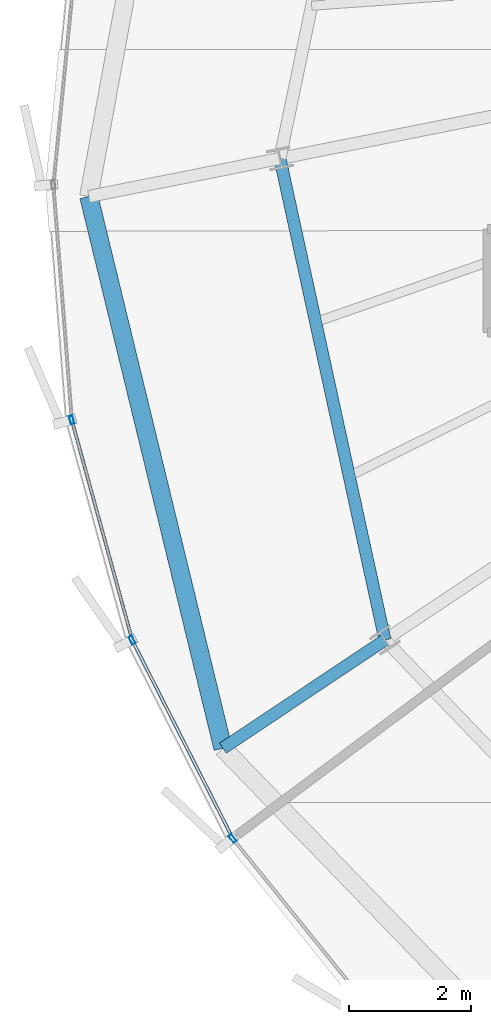
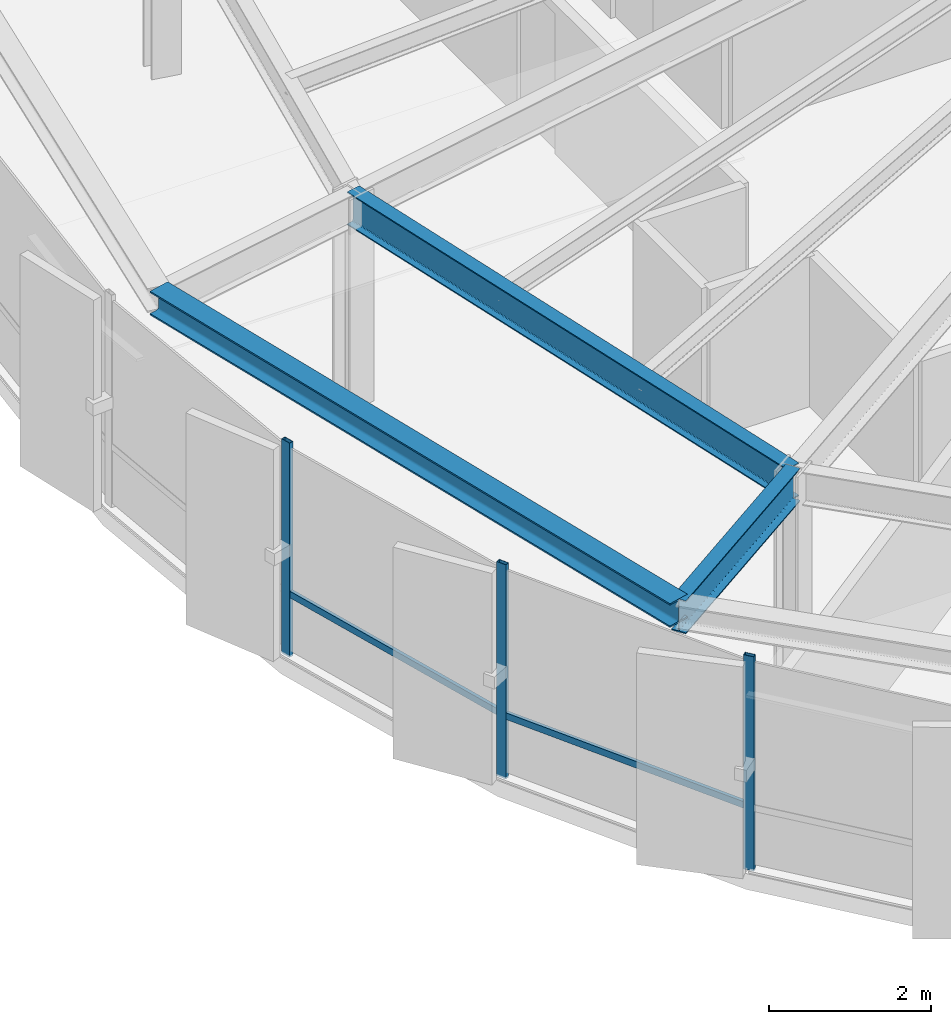
# One storey, part 4 of 34: 5 members, 3 beams, 1 element without a shape of its own.
"""IFC4 building model written with IfcOpenShell, lengths in metres."""

from ifc_helpers import new_model, si_unit, direction, frame, origin, origin_2d, place, context, subcontext, project, spatial, hollow_rectangle, i_section, extrude, source, transform, mapped, material, layer, layer_set, material_profile, profile_set, type_object, element, aggregate, save


model = new_model("IFC4")

# Units and contexts
model_context = context("Model", 3, precision=1e-05, world=origin(), true_north=direction((0.0, 1.0)))
body_context = subcontext(model_context, "Body", "Model", "MODEL_VIEW")
ifc_project = project(units=[si_unit("LENGTHUNIT", "METRE"), si_unit("AREAUNIT", "SQUARE_METRE"), si_unit("VOLUMEUNIT", "CUBIC_METRE"), si_unit("PLANEANGLEUNIT", "RADIAN"), si_unit("MASSUNIT", "GRAM", prefix="KILO"), si_unit("THERMODYNAMICTEMPERATUREUNIT", "KELVIN")], contexts=[model_context])

# Site, building, storey
site_placement = place(None, origin())
site = spatial("IfcSite", under=ifc_project, at=site_placement, CompositionType="ELEMENT")
building_placement = place(site_placement, origin())
building = spatial("IfcBuilding", under=site, at=building_placement, Name="Kethvar Cultural Tower", CompositionType="ELEMENT")
storey_placement = place(building_placement, frame((0.0, 0.0, 214.89990234375)))
storey = spatial("IfcBuildingStorey", under=building, at=storey_placement, Name="L56", CompositionType="ELEMENT", Elevation=214.89990234375)

# Beams
ifc_material_1 = material(Name="Steel S355J2", Category="steel")
ifc_material_profile_1 = material_profile(ifc_material_1, i_section(OverallWidth=0.199951171875, OverallDepth=0.5, WebThickness=0.01025390625, FlangeThickness=0.01611328125, FilletRadius=0.02099609375, at=origin_2d()), Name="Steel S355J2 — IPE500")
ifc_profile_set_1 = profile_set([ifc_material_profile_1], Name="Steel S355J2 — IPE500")
beam_type_1 = type_object("IfcBeamType", Name="BM-IPE500", PredefinedType="BEAM", material=ifc_profile_set_1)
shared_shape_1 = source(origin(), body_context, "Body", "SweptSolid", [
    extrude(i_section(OverallWidth=0.199951171875, OverallDepth=0.5, WebThickness=0.01025390625, FlangeThickness=0.01611328125, FilletRadius=0.02099609375, at=origin_2d()), origin(), (0.0, 0.0, 1.0), 3.199951171875),
])
beam_1_placement = place(storey_placement, frame((29.217529296875, 16.0517578125, 2.988037109375), z_axis=(-0.831462943996, -0.555580212716, 0.0), x_axis=(0.555580212716, -0.831462943996, 0.0)))
element("IfcBeam", 1, at=beam_1_placement, inside=storey, type_object=beam_type_1, Name="L56 Perimeter Cantilever Beam RC-10", PredefinedType="BEAM", context=body_context, shape_type="MappedRepresentation", body=[
    mapped(shared_shape_1, transform((0.0, 0.0, 0.0), scale=1.0)),
])
shared_shape_2 = source(origin(), body_context, "Body", "SweptSolid", [
    extrude(i_section(OverallWidth=0.199951171875, OverallDepth=0.5, WebThickness=0.01025390625, FlangeThickness=0.01611328125, FilletRadius=0.02099609375, at=origin_2d()), origin(), (0.0, 0.0, 1.0), 8.09375),
])
beam_2_placement = place(storey_placement, frame((27.492919921875, 23.959716796875, 2.988037109375), z_axis=(0.213077030298, -0.977035403227, 0.0), x_axis=(0.977035403227, 0.213077030298, 0.0)))
element("IfcBeam", 2, at=beam_2_placement, inside=storey, type_object=beam_type_1, Name="L56 Column Ring Tie Beam CR-09", PredefinedType="BEAM", context=body_context, shape_type="MappedRepresentation", body=[
    mapped(shared_shape_2, transform((0.0, 0.0, 0.0), scale=1.0)),
])
ifc_material_profile_2 = material_profile(ifc_material_1, i_section(OverallWidth=0.300048828125, OverallDepth=0.360107421875, WebThickness=0.012451171875, FlangeThickness=0.0224609375, FilletRadius=0.027099609375, at=origin_2d()), Name="Steel S355J2 — HEB360")
ifc_profile_set_2 = profile_set([ifc_material_profile_2], Name="Steel S355J2 — HEB360")
beam_type_2 = type_object("IfcBeamType", Name="BM-SP360", PredefinedType="SPANDREL", material=ifc_profile_set_2)
shared_shape_3 = source(origin(), body_context, "Body", "SweptSolid", [
    extrude(i_section(OverallWidth=0.300048828125, OverallDepth=0.360107421875, WebThickness=0.012451171875, FlangeThickness=0.0224609375, FilletRadius=0.027099609375, at=origin_2d()), origin(), (0.0, 0.0, 1.0), 9.3251953125),
])
beam_3_placement = place(storey_placement, frame((24.3544921875, 23.335205078125, 3.05810546875), z_axis=(0.236179213868, -0.97170951366, 0.0), x_axis=(0.97170951366, 0.236179213868, 0.0)))
element("IfcBeam", 3, at=beam_3_placement, inside=storey, type_object=beam_type_2, Name="L56 Perimeter Spandrel Beam SP-09", PredefinedType="SPANDREL", context=body_context, shape_type="MappedRepresentation", body=[
    mapped(shared_shape_3, transform((0.0, 0.0, 0.0), scale=1.0)),
])

# Curtain wall, members
ifc_material_2 = material(Name="Aluminium 6063-T6", Category="aluminium")
ifc_layer = layer(ifc_material_2, 0.179931640625, Name="Aluminium 6063-T6", Category="aluminium")
ifc_layer_set = layer_set([ifc_layer], Name="Aluminium 6063-T6 (180 mm)")
curtain_wall_type = type_object("IfcCurtainWallType", Name="CW-SYS-04-Z34", PredefinedType="NOTDEFINED", material=ifc_layer_set)
curtain_wall_placement = place(storey_placement, origin())
curtain_wall = element("IfcCurtainWall", 4, at=curtain_wall_placement, inside=storey, type_object=curtain_wall_type, Name="L56 Curtain Wall Run 03", PredefinedType="NOTDEFINED")
ifc_material_profile_3 = material_profile(ifc_material_2, hollow_rectangle(XDim=0.06005859375, YDim=0.139892578125, WallThickness=0.0048828125, at=origin_2d()), Name="Aluminium 6063-T6 — RHS140x60x5")
ifc_profile_set_3 = profile_set([ifc_material_profile_3], Name="Aluminium 6063-T6 — RHS140x60x5")
member_type_1 = type_object("IfcMemberType", Name="CW-SYS-04-Z34-MUL", PredefinedType="MULLION", material=ifc_profile_set_3)
shared_shape_4 = source(origin(), body_context, "Body", "SweptSolid", [
    extrude(hollow_rectangle(XDim=0.06005859375, YDim=0.139892578125, WallThickness=0.0048828125, at=origin_2d()), origin(), (0.0, 0.0, 1.0), 3.239990234375),
])
member_1_placement = place(storey_placement, frame((24.07373046875, 19.666748046875, 0.0), z_axis=(0.0, 0.0, 1.0), x_axis=(0.964243568377, 0.265017623646, 0.0)))
member_1 = element("IfcMember", 5, at=member_1_placement, type_object=member_type_1, Name="CW-L56-R03 Mullion 4", PredefinedType="MULLION", context=body_context, shape_type="MappedRepresentation", body=[
    mapped(shared_shape_4, transform((0.0, 0.0, 0.0), scale=1.0)),
])
member_2_placement = place(storey_placement, frame((25.065185546875, 16.051513671875, 0.0), z_axis=(0.0, 0.0, 1.0), x_axis=(0.891805425945, 0.45241914444, 0.0)))
member_2 = element("IfcMember", 6, at=member_2_placement, type_object=member_type_1, Name="CW-L56-R03 Mullion 5", PredefinedType="MULLION", context=body_context, shape_type="MappedRepresentation", body=[
    mapped(shared_shape_4, transform((0.0, 0.0, 0.0), scale=1.0)),
])
member_3_placement = place(storey_placement, frame((26.715087890625, 12.79345703125, 0.0), z_axis=(0.0, 0.0, 1.0), x_axis=(0.778155460757, 0.62807171477, 0.0)))
member_3 = element("IfcMember", 7, at=member_3_placement, type_object=member_type_1, Name="CW-L56-R03 Mullion 6", PredefinedType="MULLION", context=body_context, shape_type="MappedRepresentation", body=[
    mapped(shared_shape_4, transform((0.0, 0.0, 0.0), scale=1.0)),
])
ifc_material_profile_4 = material_profile(ifc_material_2, hollow_rectangle(XDim=0.050048828125, YDim=0.10009765625, WallThickness=0.00390625, at=origin_2d()), Name="Aluminium 6063-T6 — RHS100x50x4")
ifc_profile_set_4 = profile_set([ifc_material_profile_4], Name="Aluminium 6063-T6 — RHS100x50x4")
member_type_2 = type_object("IfcMemberType", Name="CW-SYS-04-Z34-TRN", PredefinedType="USERDEFINED", material=ifc_profile_set_4)
shared_shape_5 = source(origin(), body_context, "Body", "SweptSolid", [
    extrude(hollow_rectangle(XDim=0.050048828125, YDim=0.10009765625, WallThickness=0.00390625, at=origin_2d()), origin(), (0.0, 0.0, 1.0), 3.684326171875),
])
member_4_placement = place(storey_placement, frame((24.085205078125, 19.625, 0.9501953125), z_axis=(0.265000920094, -0.964248159111, 0.0), x_axis=(0.964248159111, 0.265000920094, 0.0)))
member_4 = element("IfcMember", 8, at=member_4_placement, type_object=member_type_2, Name="CW-L56-R03 Transom 4", ObjectType="TRANSOM", PredefinedType="USERDEFINED", context=body_context, shape_type="MappedRepresentation", body=[
    mapped(shared_shape_5, transform((0.0, 0.0, 0.0), scale=1.0)),
])
shared_shape_6 = source(origin(), body_context, "Body", "SweptSolid", [
    extrude(hollow_rectangle(XDim=0.050048828125, YDim=0.10009765625, WallThickness=0.00390625, at=origin_2d()), origin(), (0.0, 0.0, 1.0), 3.58837890625),
])
member_5_placement = place(storey_placement, frame((25.084716796875, 16.012939453125, 0.9501953125), z_axis=(0.452431032646, -0.891799394875, 0.0), x_axis=(0.891799394875, 0.452431032646, 0.0)))
member_5 = element("IfcMember", 9, at=member_5_placement, type_object=member_type_2, Name="CW-L56-R03 Transom 5", ObjectType="TRANSOM", PredefinedType="USERDEFINED", context=body_context, shape_type="MappedRepresentation", body=[
    mapped(shared_shape_6, transform((0.0, 0.0, 0.0), scale=1.0)),
])
aggregate(curtain_wall, [member_1, member_2, member_3, member_4, member_5])

save(model, "model.ifc")
